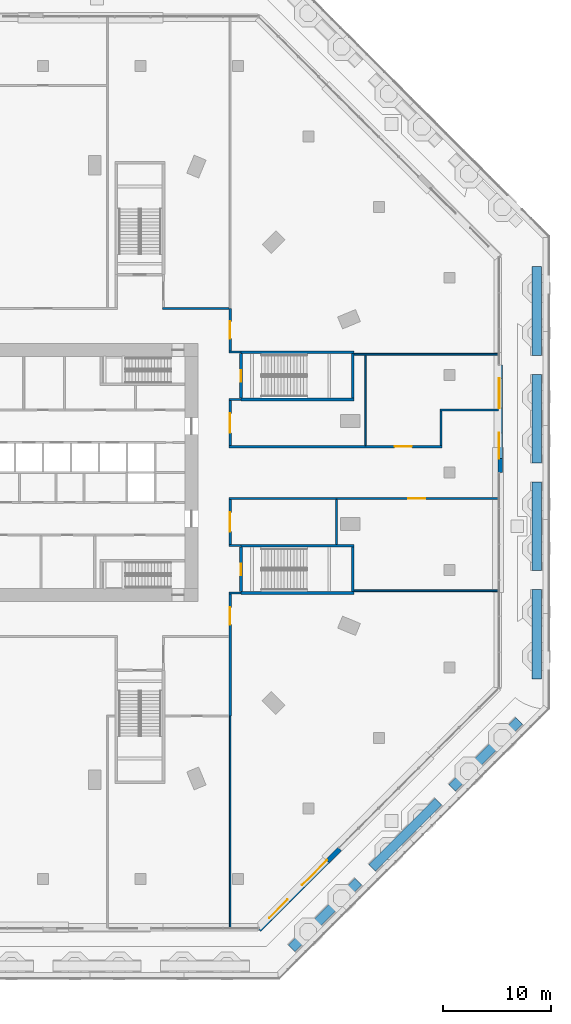
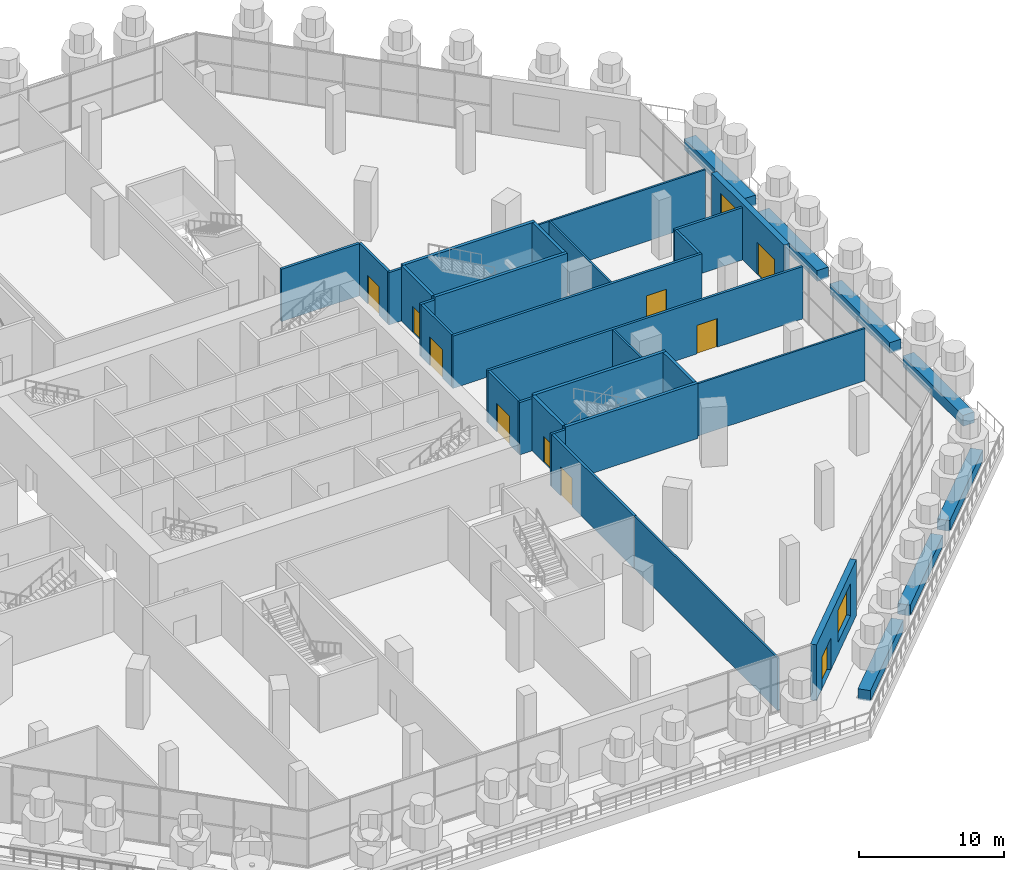
# One storey, part 25 of 32: 35 walls, 10 doors, 2 windows, 12 openings.
"""IFC4 building model written with IfcOpenShell, lengths in metres."""

from ifc_helpers import new_model, si_unit, direction, frame, frame_2d, origin, place, context, subcontext, project, spatial, rectangle, extrude, material, layer, layer_set, type_object, element, fill, save


model = new_model("IFC4")

# Units and contexts
model_context = context("Model", 3, precision=1e-05, world=origin(), true_north=direction((0.0, 1.0)))
body_context = subcontext(model_context, "Body", "Model", "MODEL_VIEW")
ifc_project = project(units=[si_unit("LENGTHUNIT", "METRE"), si_unit("AREAUNIT", "SQUARE_METRE"), si_unit("VOLUMEUNIT", "CUBIC_METRE"), si_unit("PLANEANGLEUNIT", "RADIAN"), si_unit("MASSUNIT", "GRAM", prefix="KILO")], contexts=[model_context])

# Site, building, storey
site_placement = place(None, origin())
site = spatial("IfcSite", under=ifc_project, at=site_placement, CompositionType="ELEMENT")
building_placement = place(site_placement, origin())
building = spatial("IfcBuilding", under=site, at=building_placement, Name="Msitu Wima Residences", CompositionType="ELEMENT")
storey_placement = place(building_placement, frame((0.0, 0.0, 6.0)))
storey = spatial("IfcBuildingStorey", under=building, at=storey_placement, Name="L01", CompositionType="ELEMENT", Elevation=6.0)

# Wall, openings, door, window
ifc_material_1 = material(Name="Brick (red buff mix), cavity wall of two leaves", Category="masonry")
ifc_layer_1 = layer(ifc_material_1, 0.449951171875)
ifc_layer_set_1 = layer_set([ifc_layer_1], Name="Brick (red buff mix), cavity wall of two leaves")
wall_type_1 = type_object("IfcWallType", Name="Brick infill wall BW450 podium", PredefinedType="ELEMENTEDWALL", material=ifc_layer_set_1)
wall_1_placement = place(storey_placement, frame((42.52490234375, 0.0, 0.0), z_axis=(0.0, 0.0, 1.0), x_axis=(0.0, 1.0, 0.0)))
wall_1 = element("IfcWall", 1, at=wall_1_placement, inside=storey, type_object=wall_type_1, Name="Brick infill wall L01 E2", PredefinedType="ELEMENTEDWALL", context=body_context, shape_type="SweptSolid", body=[
    extrude(rectangle(XDim=9.995849609375, YDim=0.449951171875, at=frame_2d((4.998046875, 0.0))), origin(), (0.0, 0.0, 1.0), 4.699951171875),
])
opening_1_placement = place(wall_1_placement, frame((1.299072265625, 0.0, 0.0)))
opening_1 = element("IfcOpeningElement", 2, at=opening_1_placement, cuts=wall_1, Name="Opening D01.001", PredefinedType="OPENING", context=body_context, shape_type="SweptSolid", body=[
    extrude(rectangle(XDim=2.39990234375, YDim=2.699951171875, at=frame_2d((1.199951171875, 1.35009765625))), frame((0.0, 0.23486328125, 0.0), z_axis=(0.0, -1.0, 0.0), x_axis=(1.0, 0.0, 0.0)), (0.0, 0.0, 1.0), 0.469970703125),
])
opening_2_placement = place(wall_1_placement, frame((6.0, 0.0, 1.050048828125)))
opening_2 = element("IfcOpeningElement", 3, at=opening_2_placement, cuts=wall_1, Name="Opening W01.001", PredefinedType="OPENING", context=body_context, shape_type="SweptSolid", body=[
    extrude(rectangle(XDim=2.75, YDim=2.699951171875, at=frame_2d((1.375, 1.35009765625))), frame((0.0, 0.23486328125, 0.0), z_axis=(0.0, -1.0, 0.0), x_axis=(1.0, 0.0, 0.0)), (0.0, 0.0, 1.0), 0.469970703125),
])
ifc_material_2 = material(Name="Anodised aluminium, bronze finish, clear low-emissivity double glazing", Category="aluminium")
door_type_1 = type_object("IfcDoorType", Name="Balcony door D2400x2700", OperationType="SLIDING_TO_LEFT", PredefinedType="DOOR", material=ifc_material_2)
door_1_placement = place(opening_1_placement, origin())
door_1 = element("IfcDoor", 4, at=door_1_placement, inside=storey, type_object=door_type_1, Name="Terrace door L01 E2", OperationType="SINGLE_SWING_LEFT", OverallHeight=2.699951171875, OverallWidth=2.39990234375, PredefinedType="DOOR", context=body_context, shape_type="SweptSolid", body=[
    extrude(rectangle(XDim=2.39990234375, YDim=2.699951171875, at=frame_2d((1.199951171875, 1.35009765625))), frame((0.0, 0.1298828125, 0.0), z_axis=(0.0, -1.0, 0.0), x_axis=(1.0, 0.0, 0.0)), (0.0, 0.0, 1.0), 0.050048828125),
])
fill(opening_1, door_1)
window_type_1 = type_object("IfcWindowType", Name="Window W2750x2700", PartitioningType="DOUBLE_PANEL_VERTICAL", PredefinedType="WINDOW", material=ifc_material_2)
window_1_placement = place(opening_2_placement, origin())
window_1 = element("IfcWindow", 5, at=window_1_placement, inside=storey, type_object=window_type_1, Name="Window L01 E2.2b", OverallHeight=2.699951171875, OverallWidth=2.75, PartitioningType="SINGLE_PANEL", PredefinedType="WINDOW", context=body_context, shape_type="SweptSolid", body=[
    extrude(rectangle(XDim=2.75, YDim=2.699951171875, at=frame_2d((1.375, 1.35009765625))), frame((0.0, 0.135009765625, 0.0), z_axis=(0.0, -1.0, 0.0), x_axis=(1.0, 0.0, 0.0)), (0.0, 0.0, 1.0), 0.06005859375),
])
fill(opening_2, window_1)

wall_2_placement = place(storey_placement, frame((20.0849609375, -42.52490234375, 0.0), z_axis=(0.0, 0.0, 1.0), x_axis=(0.707106781187, 0.707106781187, 0.0)))
wall_2 = element("IfcWall", 6, at=wall_2_placement, inside=storey, type_object=wall_type_1, Name="Brick infill wall L01 SE0", PredefinedType="ELEMENTEDWALL", context=body_context, shape_type="SweptSolid", body=[
    extrude(rectangle(XDim=10.609375, YDim=0.449951171875, at=frame_2d((5.3046875, 0.0))), origin(), (0.0, 0.0, 1.0), 4.699951171875),
])
opening_3_placement = place(wall_2_placement, frame((1.452392578125, 0.0, 0.0)))
opening_3 = element("IfcOpeningElement", 7, at=opening_3_placement, cuts=wall_2, Name="Opening D01.006", PredefinedType="OPENING", context=body_context, shape_type="SweptSolid", body=[
    extrude(rectangle(XDim=2.39990234375, YDim=2.699951171875, at=frame_2d((1.199951171875, 1.35009765625))), frame((0.0, 0.23486328125, 0.0), z_axis=(0.0, -1.0, 0.0), x_axis=(1.0, 0.0, 0.0)), (0.0, 0.0, 1.0), 0.469970703125),
])
opening_4_placement = place(wall_2_placement, frame((5.754638671875, 0.0, 1.050048828125)))
opening_4 = element("IfcOpeningElement", 8, at=opening_4_placement, cuts=wall_2, Name="Opening W01.006", PredefinedType="OPENING", context=body_context, shape_type="SweptSolid", body=[
    extrude(rectangle(XDim=3.300048828125, YDim=2.699951171875, at=frame_2d((1.64990234375, 1.35009765625))), frame((0.0, 0.23486328125, 0.0), z_axis=(0.0, -1.0, 0.0), x_axis=(1.0, 0.0, 0.0)), (0.0, 0.0, 1.0), 0.469970703125),
])
door_2_placement = place(opening_3_placement, origin())
door_2 = element("IfcDoor", 9, at=door_2_placement, inside=storey, type_object=door_type_1, Name="Terrace door L01 SE0", OperationType="SINGLE_SWING_LEFT", OverallHeight=2.699951171875, OverallWidth=2.39990234375, PredefinedType="DOOR", context=body_context, shape_type="SweptSolid", body=[
    extrude(rectangle(XDim=2.39990234375, YDim=2.699951171875, at=frame_2d((1.199951171875, 1.35009765625))), frame((0.0, 0.1298828125, 0.0), z_axis=(0.0, -1.0, 0.0), x_axis=(1.0, 0.0, 0.0)), (0.0, 0.0, 1.0), 0.050048828125),
])
fill(opening_3, door_2)
window_type_2 = type_object("IfcWindowType", Name="Window W3300x2700", PartitioningType="DOUBLE_PANEL_VERTICAL", PredefinedType="WINDOW", material=ifc_material_2)
window_2_placement = place(opening_4_placement, origin())
window_2 = element("IfcWindow", 10, at=window_2_placement, inside=storey, type_object=window_type_2, Name="Window L01 SE0.2", OverallHeight=2.699951171875, OverallWidth=3.300048828125, PartitioningType="SINGLE_PANEL", PredefinedType="WINDOW", context=body_context, shape_type="SweptSolid", body=[
    extrude(rectangle(XDim=3.300048828125, YDim=2.699951171875, at=frame_2d((1.64990234375, 1.35009765625))), frame((0.0, 0.135009765625, 0.0), z_axis=(0.0, -1.0, 0.0), x_axis=(1.0, 0.0, 0.0)), (0.0, 0.0, 1.0), 0.06005859375),
])
fill(opening_4, window_2)

# Wall
ifc_material_3 = material(Name="Plaster")
ifc_layer_2 = layer(ifc_material_3, 0.011962890625, Name="Plaster")
ifc_material_4 = material(Name="Concrete blockwork", Category="masonry")
ifc_layer_3 = layer(ifc_material_4, 0.176025390625, Name="Concrete blockwork")
ifc_layer_4 = layer(ifc_material_3, 0.011962890625, Name="Plaster")
ifc_layer_set_2 = layer_set([ifc_layer_2, ifc_layer_3, ifc_layer_4], Name="Concrete blockwork")
wall_type_2 = type_object("IfcWallType", Name="Corridor wall FW200", PredefinedType="PARTITIONING", material=ifc_layer_set_2)
wall_3_placement = place(storey_placement, frame((11.10009765625, 15.2568359375, 0.0), z_axis=(0.0, 0.0, 1.0), x_axis=(1.0, 0.0, 0.0)))
element("IfcWall", 11, at=wall_3_placement, inside=storey, type_object=wall_type_2, Name="Corridor wall", PredefinedType="PARTITIONING", context=body_context, shape_type="SweptSolid", body=[
    extrude(rectangle(XDim=6.199951171875, YDim=0.199951171875, at=frame_2d((3.10009765625, 0.0))), origin(), (0.0, 0.0, 1.0), 4.39990234375),
])

# Wall, opening, door
wall_4_placement = place(storey_placement, frame((17.39990234375, -22.6357421875, 0.0), z_axis=(0.0, 0.0, 1.0), x_axis=(0.0, 1.0, 0.0)))
wall_4 = element("IfcWall", 12, at=wall_4_placement, inside=storey, type_object=wall_type_2, Name="Corridor wall", PredefinedType="PARTITIONING", context=body_context, shape_type="SweptSolid", body=[
    extrude(rectangle(XDim=11.335693359375, YDim=0.199951171875, at=frame_2d((5.66796875, 0.0))), origin(), (0.0, 0.0, 1.0), 4.39990234375),
])
opening_5_placement = place(wall_4_placement, frame((8.5, 0.0, 0.0)))
opening_5 = element("IfcOpeningElement", 13, at=opening_5_placement, cuts=wall_4, Name="Opening D01.037", PredefinedType="OPENING", context=body_context, shape_type="SweptSolid", body=[
    extrude(rectangle(XDim=1.60009765625, YDim=2.39990234375, at=frame_2d((0.800048828125, 1.199951171875))), frame((0.0, 0.10986328125, 0.0), z_axis=(0.0, -1.0, 0.0), x_axis=(1.0, 0.0, 0.0)), (0.0, 0.0, 1.0), 0.219970703125),
])
ifc_material_5 = material(Name="Black aluminium glazed door", Category="aluminium")
door_type_2 = type_object("IfcDoorType", Name="Amenity door D10 1600x2400", OperationType="DOUBLE_DOOR_SINGLE_SWING", PredefinedType="DOOR", material=ifc_material_5)
door_3_placement = place(opening_5_placement, origin())
door_3 = element("IfcDoor", 14, at=door_3_placement, inside=storey, type_object=door_type_2, Name="Amenity door", OperationType="DOUBLE_DOOR_SINGLE_SWING", OverallHeight=2.39990234375, OverallWidth=1.60009765625, PredefinedType="DOOR", context=body_context, shape_type="SweptSolid", body=[
    extrude(rectangle(XDim=1.60009765625, YDim=2.39990234375, at=frame_2d((0.800048828125, 1.199951171875))), frame((0.0, 0.02490234375, 0.0), z_axis=(0.0, -1.0, 0.0), x_axis=(1.0, 0.0, 0.0)), (0.0, 0.0, 1.0), 0.050048828125),
])
fill(opening_5, door_3)

# Wall
wall_5_placement = place(storey_placement, frame((17.300048828125, -11.199951171875, 0.0), z_axis=(0.0, 0.0, 1.0), x_axis=(1.0, 0.0, 0.0)))
element("IfcWall", 15, at=wall_5_placement, inside=storey, type_object=wall_type_2, Name="Corridor wall", PredefinedType="PARTITIONING", context=body_context, shape_type="SweptSolid", body=[
    extrude(rectangle(XDim=1.099853515625, YDim=0.199951171875, at=frame_2d((0.5498046875, 0.0))), origin(), (0.0, 0.0, 1.0), 4.39990234375),
])

# Wall, opening, door
wall_6_placement = place(storey_placement, frame((17.39990234375, -6.699951171875, 0.0), z_axis=(0.0, 0.0, 1.0), x_axis=(0.0, 1.0, 0.0)))
wall_6 = element("IfcWall", 16, at=wall_6_placement, inside=storey, type_object=wall_type_2, Name="Corridor wall", PredefinedType="PARTITIONING", context=body_context, shape_type="SweptSolid", body=[
    extrude(rectangle(XDim=4.199951171875, YDim=0.199951171875, at=frame_2d((2.10009765625, 0.0))), origin(), (0.0, 0.0, 1.0), 4.39990234375),
])
opening_6_placement = place(wall_6_placement, frame((1.199951171875, 0.0, 0.0)))
opening_6 = element("IfcOpeningElement", 17, at=opening_6_placement, cuts=wall_6, Name="Opening D01.033", PredefinedType="OPENING", context=body_context, shape_type="SweptSolid", body=[
    extrude(rectangle(XDim=1.800048828125, YDim=2.39990234375, at=frame_2d((0.89990234375, 1.199951171875))), frame((0.0, 0.10986328125, 0.0), z_axis=(0.0, -1.0, 0.0), x_axis=(1.0, 0.0, 0.0)), (0.0, 0.0, 1.0), 0.219970703125),
])
ifc_material_6 = material(Name="Glazed aluminium door", Category="aluminium")
door_type_3 = type_object("IfcDoorType", Name="Shopfront door D11 1800x2400", OperationType="DOUBLE_DOOR_SINGLE_SWING", PredefinedType="DOOR", material=ifc_material_6)
door_4_placement = place(opening_6_placement, origin())
door_4 = element("IfcDoor", 18, at=door_4_placement, inside=storey, type_object=door_type_3, Name="Shopfront door", OperationType="DOUBLE_DOOR_SINGLE_SWING", OverallHeight=2.39990234375, OverallWidth=1.800048828125, PredefinedType="DOOR", context=body_context, shape_type="SweptSolid", body=[
    extrude(rectangle(XDim=1.800048828125, YDim=2.39990234375, at=frame_2d((0.89990234375, 1.199951171875))), frame((0.0, 0.02490234375, 0.0), z_axis=(0.0, -1.0, 0.0), x_axis=(1.0, 0.0, 0.0)), (0.0, 0.0, 1.0), 0.050048828125),
])
fill(opening_6, door_4)

# Wall
wall_7_placement = place(storey_placement, frame((17.300048828125, -6.800048828125, 0.0), z_axis=(0.0, 0.0, 1.0), x_axis=(1.0, 0.0, 0.0)))
element("IfcWall", 19, at=wall_7_placement, inside=storey, type_object=wall_type_2, Name="Corridor wall", PredefinedType="PARTITIONING", context=body_context, shape_type="SweptSolid", body=[
    extrude(rectangle(XDim=1.099853515625, YDim=0.199951171875, at=frame_2d((0.5498046875, 0.0))), origin(), (0.0, 0.0, 1.0), 4.39990234375),
])

# Wall, opening, door
wall_8_placement = place(storey_placement, frame((17.300048828125, -2.39990234375, 0.0), z_axis=(0.0, 0.0, 1.0), x_axis=(1.0, 0.0, 0.0)))
wall_8 = element("IfcWall", 20, at=wall_8_placement, inside=storey, type_object=wall_type_2, Name="Corridor wall", PredefinedType="PARTITIONING", context=body_context, shape_type="SweptSolid", body=[
    extrude(rectangle(XDim=25.054931640625, YDim=0.199951171875, at=frame_2d((12.52734375, 0.0))), origin(), (0.0, 0.0, 1.0), 4.39990234375),
])
opening_7_placement = place(wall_8_placement, frame((16.64990234375, 0.0, 0.0)))
opening_7 = element("IfcOpeningElement", 21, at=opening_7_placement, cuts=wall_8, Name="Opening D01.035", PredefinedType="OPENING", context=body_context, shape_type="SweptSolid", body=[
    extrude(rectangle(XDim=1.60009765625, YDim=2.39990234375, at=frame_2d((0.800048828125, 1.199951171875))), frame((0.0, 0.10986328125, 0.0), z_axis=(0.0, -1.0, 0.0), x_axis=(1.0, 0.0, 0.0)), (0.0, 0.0, 1.0), 0.219970703125),
])
door_5_placement = place(opening_7_placement, origin())
door_5 = element("IfcDoor", 22, at=door_5_placement, inside=storey, type_object=door_type_2, Name="Amenity door", OperationType="DOUBLE_DOOR_SINGLE_SWING", OverallHeight=2.39990234375, OverallWidth=1.60009765625, PredefinedType="DOOR", context=body_context, shape_type="SweptSolid", body=[
    extrude(rectangle(XDim=1.60009765625, YDim=2.39990234375, at=frame_2d((0.800048828125, 1.199951171875))), frame((0.0, 0.02490234375, 0.0), z_axis=(0.0, -1.0, 0.0), x_axis=(1.0, 0.0, 0.0)), (0.0, 0.0, 1.0), 0.050048828125),
])
fill(opening_7, door_5)

wall_9_placement = place(storey_placement, frame((17.39990234375, 2.5, 0.0), z_axis=(0.0, 0.0, 1.0), x_axis=(0.0, 1.0, 0.0)))
wall_9 = element("IfcWall", 23, at=wall_9_placement, inside=storey, type_object=wall_type_2, Name="Corridor wall", PredefinedType="PARTITIONING", context=body_context, shape_type="SweptSolid", body=[
    extrude(rectangle(XDim=4.199951171875, YDim=0.199951171875, at=frame_2d((2.10009765625, 0.0))), origin(), (0.0, 0.0, 1.0), 4.39990234375),
])
opening_8_placement = place(wall_9_placement, frame((1.199951171875, 0.0, 0.0)))
opening_8 = element("IfcOpeningElement", 24, at=opening_8_placement, cuts=wall_9, Name="Opening D01.032", PredefinedType="OPENING", context=body_context, shape_type="SweptSolid", body=[
    extrude(rectangle(XDim=1.800048828125, YDim=2.39990234375, at=frame_2d((0.89990234375, 1.199951171875))), frame((0.0, 0.10986328125, 0.0), z_axis=(0.0, -1.0, 0.0), x_axis=(1.0, 0.0, 0.0)), (0.0, 0.0, 1.0), 0.219970703125),
])
door_6_placement = place(opening_8_placement, origin())
door_6 = element("IfcDoor", 25, at=door_6_placement, inside=storey, type_object=door_type_3, Name="Shopfront door", OperationType="DOUBLE_DOOR_SINGLE_SWING", OverallHeight=2.39990234375, OverallWidth=1.800048828125, PredefinedType="DOOR", context=body_context, shape_type="SweptSolid", body=[
    extrude(rectangle(XDim=1.800048828125, YDim=2.39990234375, at=frame_2d((0.89990234375, 1.199951171875))), frame((0.0, 0.02490234375, 0.0), z_axis=(0.0, -1.0, 0.0), x_axis=(1.0, 0.0, 0.0)), (0.0, 0.0, 1.0), 0.050048828125),
])
fill(opening_8, door_6)

wall_10_placement = place(storey_placement, frame((17.300048828125, 2.39990234375, 0.0), z_axis=(0.0, 0.0, 1.0), x_axis=(1.0, 0.0, 0.0)))
wall_10 = element("IfcWall", 26, at=wall_10_placement, inside=storey, type_object=wall_type_2, Name="Corridor wall", PredefinedType="PARTITIONING", context=body_context, shape_type="SweptSolid", body=[
    extrude(rectangle(XDim=19.800048828125, YDim=0.199951171875, at=frame_2d((9.89990234375, 0.0))), origin(), (0.0, 0.0, 1.0), 4.39990234375),
])
opening_9_placement = place(wall_10_placement, frame((15.39990234375, 0.0, 0.0)))
opening_9 = element("IfcOpeningElement", 27, at=opening_9_placement, cuts=wall_10, Name="Opening D01.034", PredefinedType="OPENING", context=body_context, shape_type="SweptSolid", body=[
    extrude(rectangle(XDim=1.60009765625, YDim=2.39990234375, at=frame_2d((0.800048828125, 1.199951171875))), frame((0.0, 0.10986328125, 0.0), z_axis=(0.0, -1.0, 0.0), x_axis=(1.0, 0.0, 0.0)), (0.0, 0.0, 1.0), 0.219970703125),
])
door_7_placement = place(opening_9_placement, origin())
door_7 = element("IfcDoor", 28, at=door_7_placement, inside=storey, type_object=door_type_2, Name="Amenity door", OperationType="DOUBLE_DOOR_SINGLE_SWING", OverallHeight=2.39990234375, OverallWidth=1.60009765625, PredefinedType="DOOR", context=body_context, shape_type="SweptSolid", body=[
    extrude(rectangle(XDim=1.60009765625, YDim=2.39990234375, at=frame_2d((0.800048828125, 1.199951171875))), frame((0.0, 0.02490234375, 0.0), z_axis=(0.0, -1.0, 0.0), x_axis=(1.0, 0.0, 0.0)), (0.0, 0.0, 1.0), 0.050048828125),
])
fill(opening_9, door_7)

# Wall
wall_11_placement = place(storey_placement, frame((17.300048828125, 6.800048828125, 0.0), z_axis=(0.0, 0.0, 1.0), x_axis=(1.0, 0.0, 0.0)))
element("IfcWall", 29, at=wall_11_placement, inside=storey, type_object=wall_type_2, Name="Corridor wall", PredefinedType="PARTITIONING", context=body_context, shape_type="SweptSolid", body=[
    extrude(rectangle(XDim=1.099853515625, YDim=0.199951171875, at=frame_2d((0.5498046875, 0.0))), origin(), (0.0, 0.0, 1.0), 4.39990234375),
])

# Wall, opening, door
wall_12_placement = place(storey_placement, frame((17.39990234375, 11.300048828125, 0.0), z_axis=(0.0, 0.0, 1.0), x_axis=(0.0, 1.0, 0.0)))
wall_12 = element("IfcWall", 30, at=wall_12_placement, inside=storey, type_object=wall_type_2, Name="Corridor wall", PredefinedType="PARTITIONING", context=body_context, shape_type="SweptSolid", body=[
    extrude(rectangle(XDim=3.936767578125, YDim=0.199951171875, at=frame_2d((1.96826171875, 0.0))), origin(), (0.0, 0.0, 1.0), 4.39990234375),
])
opening_10_placement = place(wall_12_placement, frame((1.14990234375, 0.0, 0.0)))
opening_10 = element("IfcOpeningElement", 31, at=opening_10_placement, cuts=wall_12, Name="Opening D01.036", PredefinedType="OPENING", context=body_context, shape_type="SweptSolid", body=[
    extrude(rectangle(XDim=1.60009765625, YDim=2.39990234375, at=frame_2d((0.800048828125, 1.199951171875))), frame((0.0, 0.10986328125, 0.0), z_axis=(0.0, -1.0, 0.0), x_axis=(1.0, 0.0, 0.0)), (0.0, 0.0, 1.0), 0.219970703125),
])
door_8_placement = place(opening_10_placement, origin())
door_8 = element("IfcDoor", 32, at=door_8_placement, inside=storey, type_object=door_type_2, Name="Amenity door", OperationType="DOUBLE_DOOR_SINGLE_SWING", OverallHeight=2.39990234375, OverallWidth=1.60009765625, PredefinedType="DOOR", context=body_context, shape_type="SweptSolid", body=[
    extrude(rectangle(XDim=1.60009765625, YDim=2.39990234375, at=frame_2d((0.800048828125, 1.199951171875))), frame((0.0, 0.02490234375, 0.0), z_axis=(0.0, -1.0, 0.0), x_axis=(1.0, 0.0, 0.0)), (0.0, 0.0, 1.0), 0.050048828125),
])
fill(opening_10, door_8)

# Walls
wall_13_placement = place(storey_placement, frame((17.300048828125, 11.199951171875, 0.0), z_axis=(0.0, 0.0, 1.0), x_axis=(1.0, 0.0, 0.0)))
element("IfcWall", 33, at=wall_13_placement, inside=storey, type_object=wall_type_2, Name="Corridor wall", PredefinedType="PARTITIONING", context=body_context, shape_type="SweptSolid", body=[
    extrude(rectangle(XDim=1.099853515625, YDim=0.199951171875, at=frame_2d((0.5498046875, 0.0))), origin(), (0.0, 0.0, 1.0), 4.39990234375),
])
wall_14_placement = place(storey_placement, frame((37.0, 2.5, 0.0), z_axis=(0.0, 0.0, 1.0), x_axis=(0.0, 1.0, 0.0)))
element("IfcWall", 34, at=wall_14_placement, inside=storey, type_object=wall_type_2, Name="Corridor wall", PredefinedType="PARTITIONING", context=body_context, shape_type="SweptSolid", body=[
    extrude(rectangle(XDim=3.199951171875, YDim=0.199951171875, at=frame_2d((1.60009765625, 0.0))), origin(), (0.0, 0.0, 1.0), 4.39990234375),
])
wall_15_placement = place(storey_placement, frame((36.89990234375, 5.800048828125, 0.0), z_axis=(0.0, 0.0, 1.0), x_axis=(1.0, 0.0, 0.0)))
element("IfcWall", 35, at=wall_15_placement, inside=storey, type_object=wall_type_2, Name="Corridor wall", PredefinedType="PARTITIONING", context=body_context, shape_type="SweptSolid", body=[
    extrude(rectangle(XDim=5.455078125, YDim=0.199951171875, at=frame_2d((2.7275390625, 0.0))), origin(), (0.0, 0.0, 1.0), 4.39990234375),
])
ifc_layer_5 = layer(ifc_material_3, 0.011962890625, Name="Plaster")
ifc_layer_6 = layer(ifc_material_4, 0.1259765625, Name="Concrete blockwork")
ifc_layer_7 = layer(ifc_material_3, 0.011962890625, Name="Plaster")
ifc_layer_set_3 = layer_set([ifc_layer_5, ifc_layer_6, ifc_layer_7], Name="Concrete blockwork")
wall_type_3 = type_object("IfcWallType", Name="Partition PW150", PredefinedType="PARTITIONING", material=ifc_layer_set_3)
wall_16_placement = place(storey_placement, frame((17.39990234375, -42.35498046875, 0.0), z_axis=(0.0, 0.0, 1.0), x_axis=(0.0, 1.0, 0.0)))
element("IfcWall", 36, at=wall_16_placement, inside=storey, type_object=wall_type_3, Name="Partition", PredefinedType="PARTITIONING", context=body_context, shape_type="SweptSolid", body=[
    extrude(rectangle(XDim=19.71923828125, YDim=0.14990234375, at=frame_2d((9.859619140625, 0.0))), origin(), (0.0, 0.0, 1.0), 4.39990234375),
])
wall_17_placement = place(storey_placement, frame((27.2919921875, -6.675048828125, 0.0), z_axis=(0.0, 0.0, 1.0), x_axis=(0.0, 1.0, 0.0)))
element("IfcWall", 37, at=wall_17_placement, inside=storey, type_object=wall_type_3, Name="Partition", PredefinedType="PARTITIONING", context=body_context, shape_type="SweptSolid", body=[
    extrude(rectangle(XDim=4.175048828125, YDim=0.14990234375, at=frame_2d((2.08740234375, 0.0))), origin(), (0.0, 0.0, 1.0), 4.39990234375),
])
for number, where, z_axis, x_axis, name in (
    (38, (28.925048828125, -11.0, 0.0), (0.0, 0.0, 1.0), (1.0, 0.0, 0.0), "Partition"),
    (39, (28.925048828125, 11.0, 0.0), (0.0, 0.0, 1.0), (1.0, 0.0, 0.0), "Partition"),
):
    element("IfcWall", number, at=place(storey_placement, frame(where, z_axis=z_axis, x_axis=x_axis)), inside=storey, type_object=wall_type_3, Name=name, PredefinedType="PARTITIONING", context=body_context, shape_type="SweptSolid", body=[
        extrude(rectangle(XDim=13.429931640625, YDim=0.14990234375, at=frame_2d((6.71484375, 0.0))), origin(), (0.0, 0.0, 1.0), 4.39990234375),
    ])
wall_18_placement = place(storey_placement, frame((30.0, 2.5, 0.0), z_axis=(0.0, 0.0, 1.0), x_axis=(0.0, 1.0, 0.0)))
element("IfcWall", 40, at=wall_18_placement, inside=storey, type_object=wall_type_3, Name="Partition", PredefinedType="PARTITIONING", context=body_context, shape_type="SweptSolid", body=[
    extrude(rectangle(XDim=8.425048828125, YDim=0.14990234375, at=frame_2d((4.21240234375, 0.0))), origin(), (0.0, 0.0, 1.0), 4.39990234375),
])

# Wall, opening, door
ifc_material_7 = material(Name="Concrete C50/60", Category="concrete")
ifc_layer_8 = layer(ifc_material_7, 0.25)
ifc_layer_set_4 = layer_set([ifc_layer_8], Name="Concrete C50/60")
wall_type_4 = type_object("IfcWallType", Name="Stair enclosure wall SW250", PredefinedType="SHEAR", material=ifc_layer_set_4)
wall_19_placement = place(storey_placement, frame((18.39990234375, -11.074951171875, 0.0), z_axis=(0.0, 0.0, 1.0), x_axis=(0.0, 1.0, 0.0)))
wall_19 = element("IfcWall", 41, at=wall_19_placement, inside=storey, type_object=wall_type_4, Name="Stair enclosure wall", PredefinedType="SHEAR", context=body_context, shape_type="SweptSolid", body=[
    extrude(rectangle(XDim=4.14990234375, YDim=0.25, at=frame_2d((2.074951171875, 0.0))), origin(), (0.0, 0.0, 1.0), 4.64990234375),
])
opening_11_placement = place(wall_19_placement, frame((1.5, 0.0, 0.0)))
opening_11 = element("IfcOpeningElement", 42, at=opening_11_placement, cuts=wall_19, Name="Opening D01.052", PredefinedType="OPENING", context=body_context, shape_type="SweptSolid", body=[
    extrude(rectangle(XDim=1.10009765625, YDim=2.199951171875, at=frame_2d((0.550048828125, 1.10009765625))), frame((0.0, 0.135009765625, 0.0), z_axis=(0.0, -1.0, 0.0), x_axis=(1.0, 0.0, 0.0)), (0.0, 0.0, 1.0), 0.27001953125),
])
ifc_material_8 = material(Name="Steel door, fire resisting, panic bar", Category="steel")
door_type_4 = type_object("IfcDoorType", Name="Stair door D13 1100x2200", OperationType="SINGLE_SWING_LEFT", PredefinedType="DOOR", material=ifc_material_8)
door_9_placement = place(opening_11_placement, origin())
door_9 = element("IfcDoor", 43, at=door_9_placement, inside=storey, type_object=door_type_4, Name="Stair door", OperationType="SINGLE_SWING_RIGHT", OverallHeight=2.199951171875, OverallWidth=1.10009765625, PredefinedType="DOOR", context=body_context, shape_type="SweptSolid", body=[
    extrude(rectangle(XDim=1.10009765625, YDim=2.199951171875, at=frame_2d((0.550048828125, 1.10009765625))), frame((0.0, 0.02490234375, 0.0), z_axis=(0.0, -1.0, 0.0), x_axis=(1.0, 0.0, 0.0)), (0.0, 0.0, 1.0), 0.050048828125),
])
fill(opening_11, door_9)

# Walls
for number, where, z_axis, x_axis, name in (
    (44, (18.39990234375, -11.199951171875, 0.0), (0.0, 0.0, 1.0), (1.0, 0.0, 0.0), "Stair enclosure wall"),
    (45, (18.39990234375, -6.800048828125, 0.0), (0.0, 0.0, 1.0), (1.0, 0.0, 0.0), "Stair enclosure wall"),
):
    element("IfcWall", number, at=place(storey_placement, frame(where, z_axis=z_axis, x_axis=x_axis)), inside=storey, type_object=wall_type_4, Name=name, PredefinedType="SHEAR", context=body_context, shape_type="SweptSolid", body=[
        extrude(rectangle(XDim=10.525146484375, YDim=0.25, at=frame_2d((5.2626953125, 0.0))), origin(), (0.0, 0.0, 1.0), 4.64990234375),
    ])

# Wall, opening, door
wall_20_placement = place(storey_placement, frame((18.39990234375, 6.925048828125, 0.0), z_axis=(0.0, 0.0, 1.0), x_axis=(0.0, 1.0, 0.0)))
wall_20 = element("IfcWall", 46, at=wall_20_placement, inside=storey, type_object=wall_type_4, Name="Stair enclosure wall", PredefinedType="SHEAR", context=body_context, shape_type="SweptSolid", body=[
    extrude(rectangle(XDim=4.14990234375, YDim=0.25, at=frame_2d((2.074951171875, 0.0))), origin(), (0.0, 0.0, 1.0), 4.64990234375),
])
opening_12_placement = place(wall_20_placement, frame((1.5, 0.0, 0.0)))
opening_12 = element("IfcOpeningElement", 47, at=opening_12_placement, cuts=wall_20, Name="Opening D01.051", PredefinedType="OPENING", context=body_context, shape_type="SweptSolid", body=[
    extrude(rectangle(XDim=1.10009765625, YDim=2.199951171875, at=frame_2d((0.550048828125, 1.10009765625))), frame((0.0, 0.135009765625, 0.0), z_axis=(0.0, -1.0, 0.0), x_axis=(1.0, 0.0, 0.0)), (0.0, 0.0, 1.0), 0.27001953125),
])
door_10_placement = place(opening_12_placement, origin())
door_10 = element("IfcDoor", 48, at=door_10_placement, inside=storey, type_object=door_type_4, Name="Stair door", OperationType="SINGLE_SWING_RIGHT", OverallHeight=2.199951171875, OverallWidth=1.10009765625, PredefinedType="DOOR", context=body_context, shape_type="SweptSolid", body=[
    extrude(rectangle(XDim=1.10009765625, YDim=2.199951171875, at=frame_2d((0.550048828125, 1.10009765625))), frame((0.0, 0.02490234375, 0.0), z_axis=(0.0, -1.0, 0.0), x_axis=(1.0, 0.0, 0.0)), (0.0, 0.0, 1.0), 0.050048828125),
])
fill(opening_12, door_10)

# Walls
for number, where, z_axis, x_axis, name in (
    (49, (18.39990234375, 6.800048828125, 0.0), (0.0, 0.0, 1.0), (1.0, 0.0, 0.0), "Stair enclosure wall"),
    (50, (18.39990234375, 11.199951171875, 0.0), (0.0, 0.0, 1.0), (1.0, 0.0, 0.0), "Stair enclosure wall"),
):
    element("IfcWall", number, at=place(storey_placement, frame(where, z_axis=z_axis, x_axis=x_axis)), inside=storey, type_object=wall_type_4, Name=name, PredefinedType="SHEAR", context=body_context, shape_type="SweptSolid", body=[
        extrude(rectangle(XDim=10.525146484375, YDim=0.25, at=frame_2d((5.2626953125, 0.0))), origin(), (0.0, 0.0, 1.0), 4.64990234375),
    ])
for number, where, z_axis, x_axis, name in (
    (51, (28.800048828125, -11.074951171875, 0.0), (0.0, 0.0, 1.0), (0.0, 1.0, 0.0), "Stair enclosure wall"),
    (52, (28.800048828125, 6.925048828125, 0.0), (0.0, 0.0, 1.0), (0.0, 1.0, 0.0), "Stair enclosure wall"),
):
    element("IfcWall", number, at=place(storey_placement, frame(where, z_axis=z_axis, x_axis=x_axis)), inside=storey, type_object=wall_type_4, Name=name, PredefinedType="SHEAR", context=body_context, shape_type="SweptSolid", body=[
        extrude(rectangle(XDim=4.14990234375, YDim=0.25, at=frame_2d((2.074951171875, 0.0))), origin(), (0.0, 0.0, 1.0), 4.64990234375),
    ])
ifc_material_9 = material(Name="Facing brick")
ifc_layer_9 = layer(ifc_material_9, 0.06494140625, Name="Facing brick")
ifc_material_10 = material(Name="Concrete C40/50", Category="concrete")
ifc_layer_10 = layer(ifc_material_10, 0.381103515625, Name="Concrete C40/50")
ifc_material_11 = material(Name="Waterproofing membrane")
ifc_layer_11 = layer(ifc_material_11, 0.00390625, Name="Waterproofing membrane")
ifc_material_12 = material(Name="Planting soil and planting")
ifc_layer_12 = layer(ifc_material_12, 0.449951171875, Name="Planting soil and planting")
ifc_layer_set_5 = layer_set([ifc_layer_9, ifc_layer_10, ifc_layer_11, ifc_layer_12], Name="Concrete C40/50")
wall_type_5 = type_object("IfcWallType", Name="Terrace planter PLANTER PL900", PredefinedType="USERDEFINED", material=ifc_layer_set_5)
wall_21_placement = place(storey_placement, frame((45.89990234375, -19.18505859375, 0.0), z_axis=(0.0, 0.0, 1.0), x_axis=(0.0, 1.0, 0.0)))
element("IfcWall", 53, at=wall_21_placement, inside=storey, type_object=wall_type_5, Name="Terrace planter L01 E0", ObjectType="PLANTER", PredefinedType="USERDEFINED", context=body_context, shape_type="SweptSolid", body=[
    extrude(rectangle(XDim=8.2890625, YDim=0.89990234375, at=frame_2d((4.14453125, 0.0))), origin(), (0.0, 0.0, 1.0), 0.89990234375),
])
for number, where, z_axis, x_axis, name in (
    (54, (45.89990234375, -9.095947265625, 0.0), (0.0, 0.0, 1.0), (0.0, 1.0, 0.0), "Terrace planter L01 E1"),
    (55, (45.89990234375, 0.89990234375, 0.0), (0.0, 0.0, 1.0), (0.0, 1.0, 0.0), "Terrace planter L01 E2"),
):
    element("IfcWall", number, at=place(storey_placement, frame(where, z_axis=z_axis, x_axis=x_axis)), inside=storey, type_object=wall_type_5, Name=name, ObjectType="PLANTER", PredefinedType="USERDEFINED", context=body_context, shape_type="SweptSolid", body=[
        extrude(rectangle(XDim=8.196044921875, YDim=0.89990234375, at=frame_2d((4.09814453125, 0.0))), origin(), (0.0, 0.0, 1.0), 0.89990234375),
    ])
wall_22_placement = place(storey_placement, frame((45.89990234375, 10.89599609375, 0.0), z_axis=(0.0, 0.0, 1.0), x_axis=(0.0, 1.0, 0.0)))
element("IfcWall", 56, at=wall_22_placement, inside=storey, type_object=wall_type_5, Name="Terrace planter L01 E3", ObjectType="PLANTER", PredefinedType="USERDEFINED", context=body_context, shape_type="SweptSolid", body=[
    extrude(rectangle(XDim=8.2890625, YDim=0.89990234375, at=frame_2d((4.14453125, 0.0))), origin(), (0.0, 0.0, 1.0), 0.89990234375),
])
wall_23_placement = place(storey_placement, frame((23.10791015625, -44.275146484375, 0.0), z_axis=(0.0, 0.0, 1.0), x_axis=(0.707106781187, 0.707106781187, 0.0)))
element("IfcWall", 57, at=wall_23_placement, inside=storey, type_object=wall_type_5, Name="Terrace planter L01 SE0", ObjectType="PLANTER", PredefinedType="USERDEFINED", context=body_context, shape_type="SweptSolid", body=[
    extrude(rectangle(XDim=8.8095703125, YDim=0.89990234375, at=frame_2d((4.40478515625, 0.0))), origin(), (0.0, 0.0, 1.0), 0.89990234375),
])
wall_24_placement = place(storey_placement, frame((30.60986328125, -36.773193359375, 0.0), z_axis=(0.0, 0.0, 1.0), x_axis=(0.707106781187, 0.707106781187, 0.0)))
element("IfcWall", 58, at=wall_24_placement, inside=storey, type_object=wall_type_5, Name="Terrace planter L01 SE1", ObjectType="PLANTER", PredefinedType="USERDEFINED", context=body_context, shape_type="SweptSolid", body=[
    extrude(rectangle(XDim=8.71630859375, YDim=0.89990234375, at=frame_2d((4.358154296875, 0.0))), origin(), (0.0, 0.0, 1.0), 0.89990234375),
])
wall_25_placement = place(storey_placement, frame((38.0458984375, -29.337158203125, 0.0), z_axis=(0.0, 0.0, 1.0), x_axis=(0.707106781187, 0.707106781187, 0.0)))
element("IfcWall", 59, at=wall_25_placement, inside=storey, type_object=wall_type_5, Name="Terrace planter L01 SE2", ObjectType="PLANTER", PredefinedType="USERDEFINED", context=body_context, shape_type="SweptSolid", body=[
    extrude(rectangle(XDim=8.8095703125, YDim=0.89990234375, at=frame_2d((4.40478515625, 0.0))), origin(), (0.0, 0.0, 1.0), 0.89990234375),
])

save(model, "model.ifc")
